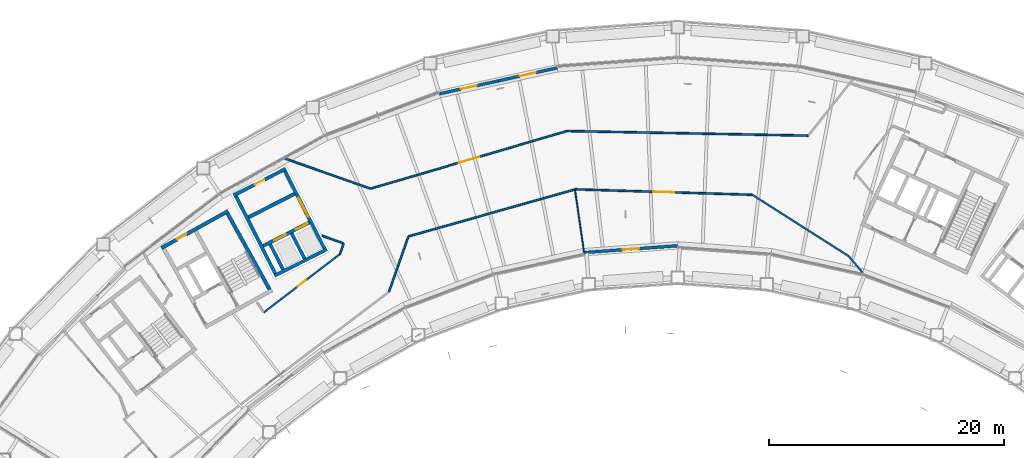
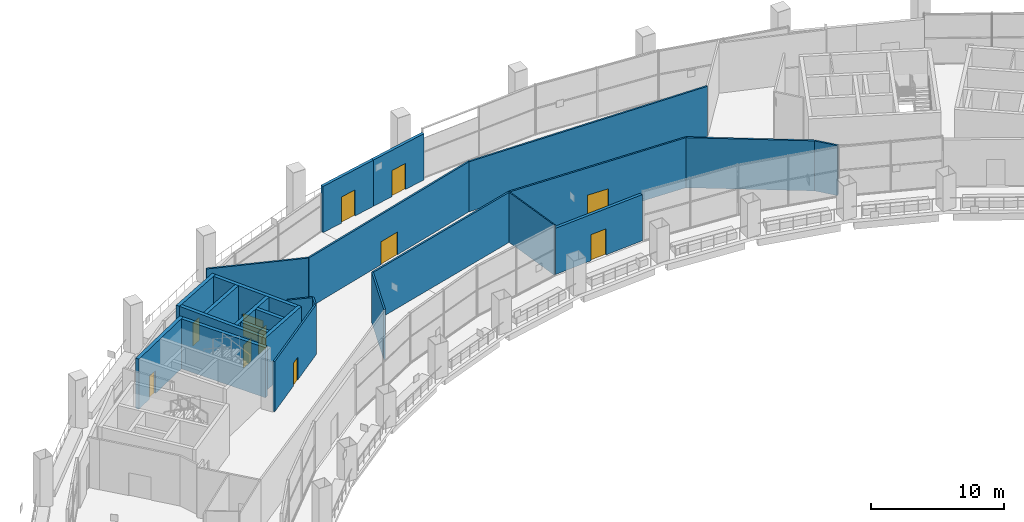
# One storey, part 17 of 28: 25 walls, 11 doors, 11 openings.
"""IFC4 building model written with IfcOpenShell, lengths in metres."""

from ifc_helpers import new_model, si_unit, direction, frame, frame_2d, origin, place, context, subcontext, project, spatial, rectangle, extrude, material, layer, layer_set, type_object, element, fill, save


model = new_model("IFC4")

# Units and contexts
model_context = context("Model", 3, precision=1e-05, world=origin(), true_north=direction((0.0, 1.0)))
body_context = subcontext(model_context, "Body", "Model", "MODEL_VIEW")
ifc_project = project(units=[si_unit("LENGTHUNIT", "METRE"), si_unit("AREAUNIT", "SQUARE_METRE"), si_unit("VOLUMEUNIT", "CUBIC_METRE"), si_unit("PLANEANGLEUNIT", "RADIAN"), si_unit("MASSUNIT", "GRAM", prefix="KILO")], contexts=[model_context])

# Site, building, storey
site_placement = place(None, origin())
site = spatial("IfcSite", under=ifc_project, at=site_placement, CompositionType="ELEMENT")
building_placement = place(site_placement, origin())
building = spatial("IfcBuilding", under=site, at=building_placement, Name="Tuul Gate Civic Tower", CompositionType="ELEMENT")
storey_placement = place(building_placement, frame((0.0, 0.0, 128.699951171875)))
storey = spatial("IfcBuildingStorey", under=building, at=storey_placement, Name="Sky garden level 1", CompositionType="ELEMENT", Elevation=128.699951171875)

# Wall, opening, door
ifc_material_1 = material(Name="Concrete C50/60", Category="concrete")
ifc_layer_1 = layer(ifc_material_1, 0.300048828125)
ifc_layer_set_1 = layer_set([ifc_layer_1], Name="Concrete C50/60")
wall_type_1 = type_object("IfcWallType", Name="Core wall C50/60", PredefinedType="SHEAR", material=ifc_layer_set_1)
wall_1_placement = place(storey_placement, frame((-28.4443359375, -1.98095703125, 0.0), z_axis=(0.0, 0.0, 1.0), x_axis=(-0.874629909008, -0.484791215132, 0.0)))
wall_1 = element("IfcWall", 1, at=wall_1_placement, inside=storey, type_object=wall_type_1, Name="Core wall", PredefinedType="SHEAR", context=body_context, shape_type="SweptSolid", body=[
    extrude(rectangle(XDim=6.5, YDim=0.300048828125, at=frame_2d((3.25, 0.0))), origin(), (0.0, 0.0, 1.0), 4.60009765625),
])
opening_1_placement = place(wall_1_placement, frame((4.074951171875, 0.0, 0.0)))
opening_1 = element("IfcOpeningElement", 2, at=opening_1_placement, cuts=wall_1, Name="Opening J-D15", PredefinedType="OPENING", context=body_context, shape_type="SweptSolid", body=[
    extrude(rectangle(XDim=0.89990234375, YDim=2.10009765625, at=frame_2d((0.449951171875, 1.050048828125))), frame((0.0, 0.16015625, 0.0), z_axis=(0.0, -1.0, 0.0), x_axis=(1.0, 0.0, 0.0)), (0.0, 0.0, 1.0), 0.320068359375),
])
ifc_material_2 = material(Name="Timber door leaf", Category="wood")
door_type_1 = type_object("IfcDoorType", Name="Door D09", OperationType="NOTDEFINED", PredefinedType="DOOR", material=ifc_material_2)
door_1_placement = place(opening_1_placement, origin())
door_1 = element("IfcDoor", 3, at=door_1_placement, inside=storey, type_object=door_type_1, Name="Door J-D15", OperationType="SINGLE_SWING_LEFT", OverallHeight=2.10009765625, OverallWidth=0.89990234375, PredefinedType="DOOR", context=body_context, shape_type="SweptSolid", body=[
    extrude(rectangle(XDim=0.89990234375, YDim=2.10009765625, at=frame_2d((0.449951171875, 1.050048828125))), frame((0.0, 0.02490234375, 0.0), z_axis=(0.0, -1.0, 0.0), x_axis=(1.0, 0.0, 0.0)), (0.0, 0.0, 1.0), 0.050048828125),
])
fill(opening_1, door_1)

# Walls
wall_2_placement = place(storey_placement, frame((-24.91552734375, -8.6572265625, 0.0), z_axis=(0.0, 0.0, 1.0), x_axis=(-0.484777133038, 0.874637714304, 0.0)))
element("IfcWall", 4, at=wall_2_placement, inside=storey, type_object=wall_type_1, Name="Core wall", PredefinedType="SHEAR", context=body_context, shape_type="SweptSolid", body=[
    extrude(rectangle(XDim=7.400146484375, YDim=0.300048828125, at=frame_2d((3.7001953125, 0.0))), origin(), (0.0, 0.0, 1.0), 4.60009765625),
])
ifc_material_3 = material(Name="Gypsum board partition")
ifc_layer_2 = layer(ifc_material_3, 0.14990234375)
ifc_layer_set_2 = layer_set([ifc_layer_2], Name="Gypsum board partition")
wall_type_2 = type_object("IfcWallType", Name="Corridor wall P150", PredefinedType="PARTITIONING", material=ifc_layer_set_2)
wall_3_placement = place(storey_placement, frame((-20.471435546875, -4.072265625, 0.0), z_axis=(0.0, 0.0, 1.0), x_axis=(0.941473773196, -0.33708624176, 0.0)))
element("IfcWall", 5, at=wall_3_placement, inside=storey, type_object=wall_type_2, Name="p005", PredefinedType="PARTITIONING", context=body_context, shape_type="SweptSolid", body=[
    extrude(rectangle(XDim=1.959228515625, YDim=0.14990234375, at=frame_2d((0.9794921875, 0.0))), origin(), (0.0, 0.0, 1.0), 4.60009765625),
])
wall_4_placement = place(storey_placement, frame((-18.92529296875, -5.64013671875, 0.0), z_axis=(0.0, 0.0, 1.0), x_axis=(0.332082590189, 0.943250313169, 0.0)))
element("IfcWall", 6, at=wall_4_placement, inside=storey, type_object=wall_type_2, Name="p006", PredefinedType="PARTITIONING", context=body_context, shape_type="SweptSolid", body=[
    extrude(rectangle(XDim=0.93505859375, YDim=0.14990234375, at=frame_2d((0.467529296875, 0.0))), origin(), (0.0, 0.0, 1.0), 4.60009765625),
])

# Wall, opening, door
wall_5_placement = place(storey_placement, frame((-25.40185546875, -10.605224609375, 0.0), z_axis=(0.0, 0.0, 1.0), x_axis=(0.793872915365, 0.608083706615, 0.0)))
wall_5 = element("IfcWall", 7, at=wall_5_placement, inside=storey, type_object=wall_type_2, Name="p008", PredefinedType="PARTITIONING", context=body_context, shape_type="SweptSolid", body=[
    extrude(rectangle(XDim=8.14990234375, YDim=0.14990234375, at=frame_2d((4.074951171875, 0.0))), origin(), (0.0, 0.0, 1.0), 4.60009765625),
])
opening_2_placement = place(wall_5_placement, frame((3.625, 0.0, 0.0)))
opening_2 = element("IfcOpeningElement", 8, at=opening_2_placement, cuts=wall_5, Name="Opening J-D02", PredefinedType="OPENING", context=body_context, shape_type="SweptSolid", body=[
    extrude(rectangle(XDim=0.89990234375, YDim=2.10009765625, at=frame_2d((0.449951171875, 1.050048828125))), frame((0.0, 0.0849609375, 0.0), z_axis=(0.0, -1.0, 0.0), x_axis=(1.0, 0.0, 0.0)), (0.0, 0.0, 1.0), 0.169921875),
])
door_2_placement = place(opening_2_placement, origin())
door_2 = element("IfcDoor", 9, at=door_2_placement, inside=storey, type_object=door_type_1, Name="Door J-D02", OperationType="SINGLE_SWING_RIGHT", OverallHeight=2.10009765625, OverallWidth=0.89990234375, PredefinedType="DOOR", context=body_context, shape_type="SweptSolid", body=[
    extrude(rectangle(XDim=0.89990234375, YDim=2.10009765625, at=frame_2d((0.449951171875, 1.050048828125))), frame((0.0, 0.02490234375, 0.0), z_axis=(0.0, -1.0, 0.0), x_axis=(1.0, 0.0, 0.0)), (0.0, 0.0, 1.0), 0.050048828125),
])
fill(opening_2, door_2)

# Wall
wall_6_placement = place(storey_placement, frame((0.406005859375, 4.833251953125, 0.0), z_axis=(0.0, 0.0, 1.0), x_axis=(0.999816867312, -0.01913718473, 0.0)))
element("IfcWall", 10, at=wall_6_placement, inside=storey, type_object=wall_type_2, Name="p019", PredefinedType="PARTITIONING", context=body_context, shape_type="SweptSolid", body=[
    extrude(rectangle(XDim=20.539306640625, YDim=0.14990234375, at=frame_2d((10.26953125, 0.0))), origin(), (0.0, 0.0, 1.0), 4.60009765625),
])

# Wall, opening, door
wall_7_placement = place(storey_placement, frame((-16.31103515625, -0.07275390625, 0.0), z_axis=(0.0, 0.0, 1.0), x_axis=(0.959530919326, 0.281603293406, 0.0)))
wall_7 = element("IfcWall", 11, at=wall_7_placement, inside=storey, type_object=wall_type_2, Name="p020", PredefinedType="PARTITIONING", context=body_context, shape_type="SweptSolid", body=[
    extrude(rectangle(XDim=17.4208984375, YDim=0.14990234375, at=frame_2d((8.71044921875, 0.0))), origin(), (0.0, 0.0, 1.0), 4.60009765625),
])
opening_3_placement = place(wall_7_placement, frame((7.810546875, 0.0, 0.0)))
opening_3 = element("IfcOpeningElement", 12, at=opening_3_placement, cuts=wall_7, Name="Opening J-D05", PredefinedType="OPENING", context=body_context, shape_type="SweptSolid", body=[
    extrude(rectangle(XDim=1.800048828125, YDim=2.10009765625, at=frame_2d((0.89990234375, 1.050048828125))), frame((0.0, 0.0849609375, 0.0), z_axis=(0.0, -1.0, 0.0), x_axis=(1.0, 0.0, 0.0)), (0.0, 0.0, 1.0), 0.169921875),
])
ifc_material_4 = material(Name="Timber door leaf, double", Category="wood")
door_type_2 = type_object("IfcDoorType", Name="Door D18", OperationType="DOUBLE_DOOR_SINGLE_SWING", PredefinedType="DOOR", material=ifc_material_4)
door_3_placement = place(opening_3_placement, origin())
door_3 = element("IfcDoor", 13, at=door_3_placement, inside=storey, type_object=door_type_2, Name="Door J-D05", OperationType="DOUBLE_DOOR_SINGLE_SWING", OverallHeight=2.10009765625, OverallWidth=1.800048828125, PredefinedType="DOOR", context=body_context, shape_type="SweptSolid", body=[
    extrude(rectangle(XDim=1.800048828125, YDim=2.10009765625, at=frame_2d((0.89990234375, 1.050048828125))), frame((0.0, 0.02490234375, 0.0), z_axis=(0.0, -1.0, 0.0), x_axis=(1.0, 0.0, 0.0)), (0.0, 0.0, 1.0), 0.050048828125),
])
fill(opening_3, door_3)

# Walls
wall_8_placement = place(storey_placement, frame((-23.70751953125, 2.526611328125, 0.0), z_axis=(0.0, 0.0, 1.0), x_axis=(0.943270974421, -0.332023897956, 0.0)))
element("IfcWall", 14, at=wall_8_placement, inside=storey, type_object=wall_type_2, Name="p021", PredefinedType="PARTITIONING", context=body_context, shape_type="SweptSolid", body=[
    extrude(rectangle(XDim=7.828125, YDim=0.14990234375, at=frame_2d((3.9140625, 0.0))), origin(), (0.0, 0.0, 1.0), 4.60009765625),
])
wall_9_placement = place(storey_placement, frame((-13.0869140625, -4.13818359375, 0.0), z_axis=(0.0, 0.0, 1.0), x_axis=(0.962436046504, 0.271508483089, 0.0)))
element("IfcWall", 15, at=wall_9_placement, inside=storey, type_object=wall_type_2, Name="p033", PredefinedType="PARTITIONING", context=body_context, shape_type="SweptSolid", body=[
    extrude(rectangle(XDim=14.76123046875, YDim=0.14990234375, at=frame_2d((7.380615234375, 0.0))), origin(), (0.0, 0.0, 1.0), 4.60009765625),
])

# Wall, opening, door
wall_10_placement = place(storey_placement, frame((1.125732421875, -0.129638671875, 0.0), z_axis=(0.0, 0.0, 1.0), x_axis=(0.999519306338, -0.031002520195, 0.0)))
wall_10 = element("IfcWall", 16, at=wall_10_placement, inside=storey, type_object=wall_type_2, Name="p034", PredefinedType="PARTITIONING", context=body_context, shape_type="SweptSolid", body=[
    extrude(rectangle(XDim=15.064697265625, YDim=0.14990234375, at=frame_2d((7.5322265625, 0.0))), origin(), (0.0, 0.0, 1.0), 4.60009765625),
])
opening_4_placement = place(wall_10_placement, frame((6.632080078125, 0.0, 0.0)))
opening_4 = element("IfcOpeningElement", 17, at=opening_4_placement, cuts=wall_10, Name="Opening J-D09", PredefinedType="OPENING", context=body_context, shape_type="SweptSolid", body=[
    extrude(rectangle(XDim=1.800048828125, YDim=2.10009765625, at=frame_2d((0.89990234375, 1.050048828125))), frame((0.0, 0.0849609375, 0.0), z_axis=(0.0, -1.0, 0.0), x_axis=(1.0, 0.0, 0.0)), (0.0, 0.0, 1.0), 0.169921875),
])
door_4_placement = place(opening_4_placement, frame((1.800048828125, 0.0, 0.0), z_axis=(0.0, 0.0, 1.0), x_axis=(-1.0, 0.0, 0.0)))
door_4 = element("IfcDoor", 18, at=door_4_placement, inside=storey, type_object=door_type_2, Name="Door J-D09", OperationType="DOUBLE_DOOR_SINGLE_SWING", OverallHeight=2.10009765625, OverallWidth=1.800048828125, PredefinedType="DOOR", context=body_context, shape_type="SweptSolid", body=[
    extrude(rectangle(XDim=1.800048828125, YDim=2.10009765625, at=frame_2d((0.900146484375, 1.050048828125))), frame((0.0, 0.02490234375, 0.0), z_axis=(0.0, -1.0, 0.0), x_axis=(1.0, 0.0, 0.0)), (0.0, 0.0, 1.0), 0.050048828125),
])
fill(opening_4, door_4)

# Walls
wall_11_placement = place(storey_placement, frame((16.193115234375, -0.60009765625, 0.0), z_axis=(0.0, 0.0, 1.0), x_axis=(0.843556923983, -0.537039771339, 0.0)))
element("IfcWall", 19, at=wall_11_placement, inside=storey, type_object=wall_type_2, Name="p035", PredefinedType="PARTITIONING", context=body_context, shape_type="SweptSolid", body=[
    extrude(rectangle(XDim=9.711669921875, YDim=0.14990234375, at=frame_2d((4.85595703125, 0.0))), origin(), (0.0, 0.0, 1.0), 4.60009765625),
])
wall_12_placement = place(storey_placement, frame((24.389892578125, -5.819580078125, 0.0), z_axis=(0.0, 0.0, 1.0), x_axis=(0.646354470024, -0.763037285511, 0.0)))
element("IfcWall", 20, at=wall_12_placement, inside=storey, type_object=wall_type_2, Name="p036", PredefinedType="PARTITIONING", context=body_context, shape_type="SweptSolid", body=[
    extrude(rectangle(XDim=1.85791015625, YDim=0.14990234375, at=frame_2d((0.928955078125, 0.0))), origin(), (0.0, 0.0, 1.0), 4.60009765625),
])
wall_13_placement = place(storey_placement, frame((-14.7578125, -8.85986328125, 0.0), z_axis=(0.0, 0.0, 1.0), x_axis=(0.331970681934, 0.943289704352, 0.0)))
element("IfcWall", 21, at=wall_13_placement, inside=storey, type_object=wall_type_2, Name="p038", PredefinedType="PARTITIONING", context=body_context, shape_type="SweptSolid", body=[
    extrude(rectangle(XDim=4.9921875, YDim=0.14990234375, at=frame_2d((2.49609375, 0.0))), origin(), (0.0, 0.0, 1.0), 4.60009765625),
])

# Wall, opening, door
ifc_material_5 = material(Name="Precast concrete C40/50", Category="concrete")
ifc_layer_3 = layer(ifc_material_5, 0.25)
ifc_layer_set_3 = layer_set([ifc_layer_3], Name="Precast concrete C40/50")
wall_type_3 = type_object("IfcWallType", Name="External wall", PredefinedType="STANDARD", material=ifc_layer_set_3)
wall_14_placement = place(storey_placement, frame((-0.418212890625, 10.212890625, 0.0), z_axis=(0.0, 0.0, 1.0), x_axis=(-0.976564816859, -0.215223508181, 0.0)))
wall_14 = element("IfcWall", 22, at=wall_14_placement, inside=storey, type_object=wall_type_3, Name="External wall", PredefinedType="STANDARD", context=body_context, shape_type="SweptSolid", body=[
    extrude(rectangle(XDim=5.14990234375, YDim=0.25, at=frame_2d((2.574951171875, 0.0))), origin(), (0.0, 0.0, 1.0), 4.25),
])
opening_5_placement = place(wall_14_placement, frame((1.875, 0.0, 0.0)))
opening_5 = element("IfcOpeningElement", 23, at=opening_5_placement, cuts=wall_14, Name="Opening TD", PredefinedType="OPENING", context=body_context, shape_type="SweptSolid", body=[
    extrude(rectangle(XDim=1.39990234375, YDim=2.39990234375, at=frame_2d((0.699951171875, 1.199951171875))), frame((0.0, 0.135009765625, 0.0), z_axis=(0.0, -1.0, 0.0), x_axis=(1.0, 0.0, 0.0)), (0.0, 0.0, 1.0), 0.27001953125),
])
ifc_material_6 = material(Name="Glazed aluminium", Category="aluminium")
door_type_3 = type_object("IfcDoorType", Name="Terrace door", OperationType="DOUBLE_DOOR_SINGLE_SWING", PredefinedType="DOOR", material=ifc_material_6)
door_5_placement = place(opening_5_placement, frame((1.39990234375, 0.0, 0.0), z_axis=(0.0, 0.0, 1.0), x_axis=(-1.0, 0.0, 0.0)))
door_5 = element("IfcDoor", 24, at=door_5_placement, inside=storey, type_object=door_type_3, Name="Terrace door", OperationType="DOUBLE_DOOR_SINGLE_SWING", OverallHeight=2.39990234375, OverallWidth=1.39990234375, PredefinedType="DOOR", context=body_context, shape_type="SweptSolid", body=[
    extrude(rectangle(XDim=1.39990234375, YDim=2.39990234375, at=frame_2d((0.699951171875, 1.199951171875))), frame((0.0, 0.02490234375, 0.0), z_axis=(0.0, -1.0, 0.0), x_axis=(1.0, 0.0, 0.0)), (0.0, 0.0, 1.0), 0.050048828125),
])
fill(opening_5, door_5)

wall_15_placement = place(storey_placement, frame((-5.447509765625, 9.1044921875, 0.0), z_axis=(0.0, 0.0, 1.0), x_axis=(-0.976557048773, -0.215258752414, 0.0)))
wall_15 = element("IfcWall", 25, at=wall_15_placement, inside=storey, type_object=wall_type_3, Name="External wall", PredefinedType="STANDARD", context=body_context, shape_type="SweptSolid", body=[
    extrude(rectangle(XDim=5.150390625, YDim=0.25, at=frame_2d((2.5751953125, 0.0))), origin(), (0.0, 0.0, 1.0), 4.25),
])
opening_6_placement = place(wall_15_placement, frame((1.875, 0.0, 0.0)))
opening_6 = element("IfcOpeningElement", 26, at=opening_6_placement, cuts=wall_15, Name="Opening TD", PredefinedType="OPENING", context=body_context, shape_type="SweptSolid", body=[
    extrude(rectangle(XDim=1.39990234375, YDim=2.39990234375, at=frame_2d((0.699951171875, 1.199951171875))), frame((0.0, 0.135009765625, 0.0), z_axis=(0.0, -1.0, 0.0), x_axis=(1.0, 0.0, 0.0)), (0.0, 0.0, 1.0), 0.27001953125),
])
door_6_placement = place(opening_6_placement, frame((1.39990234375, 0.0, 0.0), z_axis=(0.0, 0.0, 1.0), x_axis=(-1.0, 0.0, 0.0)))
door_6 = element("IfcDoor", 27, at=door_6_placement, inside=storey, type_object=door_type_3, Name="Terrace door", OperationType="DOUBLE_DOOR_SINGLE_SWING", OverallHeight=2.39990234375, OverallWidth=1.39990234375, PredefinedType="DOOR", context=body_context, shape_type="SweptSolid", body=[
    extrude(rectangle(XDim=1.39990234375, YDim=2.39990234375, at=frame_2d((0.699951171875, 1.199951171875))), frame((0.0, 0.02490234375, 0.0), z_axis=(0.0, -1.0, 0.0), x_axis=(1.0, 0.0, 0.0)), (0.0, 0.0, 1.0), 0.050048828125),
])
fill(opening_6, door_6)

wall_16_placement = place(storey_placement, frame((1.8720703125, -5.513427734375, 0.0), z_axis=(0.0, 0.0, 1.0), x_axis=(0.997391545111, 0.072181062211, 0.0)))
wall_16 = element("IfcWall", 28, at=wall_16_placement, inside=storey, type_object=wall_type_3, Name="External wall", PredefinedType="STANDARD", context=body_context, shape_type="SweptSolid", body=[
    extrude(rectangle(XDim=7.96875, YDim=0.25, at=frame_2d((3.984375, 0.0))), origin(), (0.0, 0.0, 1.0), 4.25),
])
opening_7_placement = place(wall_16_placement, frame((3.284423828125, 0.0, 0.0)))
opening_7 = element("IfcOpeningElement", 29, at=opening_7_placement, cuts=wall_16, Name="Opening TD", PredefinedType="OPENING", context=body_context, shape_type="SweptSolid", body=[
    extrude(rectangle(XDim=1.39990234375, YDim=2.39990234375, at=frame_2d((0.699951171875, 1.199951171875))), frame((0.0, 0.135009765625, 0.0), z_axis=(0.0, -1.0, 0.0), x_axis=(1.0, 0.0, 0.0)), (0.0, 0.0, 1.0), 0.27001953125),
])
door_7_placement = place(opening_7_placement, frame((1.39990234375, 0.0, 0.0), z_axis=(0.0, 0.0, 1.0), x_axis=(-1.0, 0.0, 0.0)))
door_7 = element("IfcDoor", 30, at=door_7_placement, inside=storey, type_object=door_type_3, Name="Terrace door", OperationType="DOUBLE_DOOR_SINGLE_SWING", OverallHeight=2.39990234375, OverallWidth=1.39990234375, PredefinedType="DOOR", context=body_context, shape_type="SweptSolid", body=[
    extrude(rectangle(XDim=1.39990234375, YDim=2.39990234375, at=frame_2d((0.699951171875, 1.199951171875))), frame((0.0, 0.02490234375, 0.0), z_axis=(0.0, -1.0, 0.0), x_axis=(1.0, 0.0, 0.0)), (0.0, 0.0, 1.0), 0.050048828125),
])
fill(opening_7, door_7)

# Wall
ifc_material_7 = material(Name="Concrete C40/50", Category="concrete")
ifc_layer_4 = layer(ifc_material_7, 0.300048828125)
ifc_layer_set_4 = layer_set([ifc_layer_4], Name="Concrete C40/50")
wall_type_4 = type_object("IfcWallType", Name="Lift shaft wall C40/50", PredefinedType="STANDARD", material=ifc_layer_set_4)
wall_17_placement = place(storey_placement, frame((-20.049072265625, -5.232421875, -0.300048828125), z_axis=(0.0, 0.0, 1.0), x_axis=(-0.891002976909, -0.453997461601, 0.0)))
element("IfcWall", 31, at=wall_17_placement, inside=storey, type_object=wall_type_4, Name="Shaft wall", PredefinedType="STANDARD", context=body_context, shape_type="SweptSolid", body=[
    extrude(rectangle(XDim=5.0, YDim=0.300048828125, at=frame_2d((2.5, 0.0))), origin(), (0.0, 0.0, 1.0), 4.900146484375),
])

# Wall, openings, doors
wall_18_placement = place(storey_placement, frame((-21.542236328125, -2.962890625, -0.300048828125), z_axis=(0.0, 0.0, 1.0), x_axis=(-0.891005618941, -0.453992276384, 0.0)))
wall_18 = element("IfcWall", 32, at=wall_18_placement, inside=storey, type_object=wall_type_4, Name="Shaft wall", PredefinedType="STANDARD", context=body_context, shape_type="SweptSolid", body=[
    extrude(rectangle(XDim=4.39990234375, YDim=0.300048828125, at=frame_2d((2.199951171875, 0.0))), origin(), (0.0, 0.0, 1.0), 4.900146484375),
])
opening_8_placement = place(wall_18_placement, frame((0.175048828125, 0.0, 0.300048828125)))
opening_8 = element("IfcOpeningElement", 33, at=opening_8_placement, cuts=wall_18, Name="Opening LD-M1", PredefinedType="OPENING", context=body_context, shape_type="SweptSolid", body=[
    extrude(rectangle(XDim=1.10009765625, YDim=2.10009765625, at=frame_2d((0.550048828125, 1.050048828125))), frame((0.0, 0.16015625, 0.0), z_axis=(0.0, -1.0, 0.0), x_axis=(1.0, 0.0, 0.0)), (0.0, 0.0, 1.0), 0.320068359375),
])
opening_9_placement = place(wall_18_placement, frame((2.22509765625, 0.0, 0.300048828125)))
opening_9 = element("IfcOpeningElement", 34, at=opening_9_placement, cuts=wall_18, Name="Opening LD-M2", PredefinedType="OPENING", context=body_context, shape_type="SweptSolid", body=[
    extrude(rectangle(XDim=1.10009765625, YDim=2.10009765625, at=frame_2d((0.550048828125, 1.050048828125))), frame((0.0, 0.16015625, 0.0), z_axis=(0.0, -1.0, 0.0), x_axis=(1.0, 0.0, 0.0)), (0.0, 0.0, 1.0), 0.320068359375),
])
ifc_material_8 = material(Name="Stainless steel", Category="steel")
door_type_4 = type_object("IfcDoorType", Name="Landing door", OperationType="DOUBLE_DOOR_SLIDING", PredefinedType="DOOR", material=ifc_material_8)
door_8_placement = place(opening_8_placement, origin())
door_8 = element("IfcDoor", 35, at=door_8_placement, inside=storey, type_object=door_type_4, Name="Mid-rise lift M1 landing door", OperationType="DOUBLE_DOOR_SLIDING", OverallHeight=2.10009765625, OverallWidth=1.10009765625, PredefinedType="DOOR", context=body_context, shape_type="SweptSolid", body=[
    extrude(rectangle(XDim=1.10009765625, YDim=2.10009765625, at=frame_2d((0.550048828125, 1.050048828125))), frame((0.0, 0.02490234375, 0.0), z_axis=(0.0, -1.0, 0.0), x_axis=(1.0, 0.0, 0.0)), (0.0, 0.0, 1.0), 0.050048828125),
])
fill(opening_8, door_8)
door_9_placement = place(opening_9_placement, origin())
door_9 = element("IfcDoor", 36, at=door_9_placement, inside=storey, type_object=door_type_4, Name="Mid-rise lift M2 landing door", OperationType="DOUBLE_DOOR_SLIDING", OverallHeight=2.10009765625, OverallWidth=1.10009765625, PredefinedType="DOOR", context=body_context, shape_type="SweptSolid", body=[
    extrude(rectangle(XDim=1.10009765625, YDim=2.10009765625, at=frame_2d((0.550048828125, 1.050048828125))), frame((0.0, 0.02490234375, 0.0), z_axis=(0.0, -1.0, 0.0), x_axis=(1.0, 0.0, 0.0)), (0.0, 0.0, 1.0), 0.050048828125),
])
fill(opening_9, door_9)

# Wall
wall_19_placement = place(storey_placement, frame((-22.790771484375, -0.5126953125, -0.300048828125), z_axis=(0.0, 0.0, 1.0), x_axis=(-0.891005618941, -0.453992276384, 0.0)))
element("IfcWall", 37, at=wall_19_placement, inside=storey, type_object=wall_type_4, Name="Shaft wall", PredefinedType="STANDARD", context=body_context, shape_type="SweptSolid", body=[
    extrude(rectangle(XDim=4.39990234375, YDim=0.300048828125, at=frame_2d((2.199951171875, 0.0))), origin(), (0.0, 0.0, 1.0), 4.900146484375),
])

# Wall, opening, door
wall_20_placement = place(storey_placement, frame((-23.544921875, 1.62841796875, -0.300048828125), z_axis=(0.0, 0.0, 1.0), x_axis=(-0.891002976909, -0.453997461601, 0.0)))
wall_20 = element("IfcWall", 38, at=wall_20_placement, inside=storey, type_object=wall_type_4, Name="Shaft wall", PredefinedType="STANDARD", context=body_context, shape_type="SweptSolid", body=[
    extrude(rectangle(XDim=5.0, YDim=0.300048828125, at=frame_2d((2.5, 0.0))), origin(), (0.0, 0.0, 1.0), 4.900146484375),
])
opening_10_placement = place(wall_20_placement, frame((2.050048828125, 0.0, 0.0)))
opening_10 = element("IfcOpeningElement", 39, at=opening_10_placement, cuts=wall_20, Name="Opening J-D22", PredefinedType="OPENING", context=body_context, shape_type="SweptSolid", body=[
    extrude(rectangle(XDim=0.89990234375, YDim=2.10009765625, at=frame_2d((0.449951171875, 1.050048828125))), frame((0.0, 0.16015625, 0.0), z_axis=(0.0, -1.0, 0.0), x_axis=(1.0, 0.0, 0.0)), (0.0, 0.0, 1.0), 0.320068359375),
])
door_10_placement = place(opening_10_placement, origin())
door_10 = element("IfcDoor", 40, at=door_10_placement, inside=storey, type_object=door_type_1, Name="Door J-D22", OperationType="SINGLE_SWING_LEFT", OverallHeight=2.10009765625, OverallWidth=0.89990234375, PredefinedType="DOOR", context=body_context, shape_type="SweptSolid", body=[
    extrude(rectangle(XDim=0.89990234375, YDim=2.10009765625, at=frame_2d((0.449951171875, 1.050048828125))), frame((0.0, 0.02490234375, 0.0), z_axis=(0.0, -1.0, 0.0), x_axis=(1.0, 0.0, 0.0)), (0.0, 0.0, 1.0), 0.050048828125),
])
fill(opening_10, door_10)

wall_21_placement = place(storey_placement, frame((-20.2509765625, -5.166748046875, -0.300048828125), z_axis=(0.0, 0.0, 1.0), x_axis=(-0.45401029361, 0.89099643843, 0.0)))
wall_21 = element("IfcWall", 41, at=wall_21_placement, inside=storey, type_object=wall_type_4, Name="Shaft wall", PredefinedType="STANDARD", context=body_context, shape_type="SweptSolid", body=[
    extrude(rectangle(XDim=7.39990234375, YDim=0.300048828125, at=frame_2d((3.699951171875, 0.0))), origin(), (0.0, 0.0, 1.0), 4.900146484375),
])
opening_11_placement = place(wall_21_placement, frame((3.02490234375, 0.0, 0.300048828125)))
opening_11 = element("IfcOpeningElement", 42, at=opening_11_placement, cuts=wall_21, Name="Opening LB-W3-LOBBY-1", PredefinedType="OPENING", context=body_context, shape_type="SweptSolid", body=[
    extrude(rectangle(XDim=1.800048828125, YDim=2.10009765625, at=frame_2d((0.89990234375, 1.050048828125))), frame((0.0, 0.16015625, 0.0), z_axis=(0.0, -1.0, 0.0), x_axis=(1.0, 0.0, 0.0)), (0.0, 0.0, 1.0), 0.320068359375),
])
ifc_material_9 = material(Name="Steel", Category="steel")
door_type_5 = type_object("IfcDoorType", Name="Lobby door", OperationType="DOUBLE_DOOR_SINGLE_SWING", PredefinedType="DOOR", material=ifc_material_9)
door_11_placement = place(opening_11_placement, origin())
door_11 = element("IfcDoor", 43, at=door_11_placement, inside=storey, type_object=door_type_5, Name="Lobby door W3-LOBBY", OperationType="DOUBLE_DOOR_SINGLE_SWING", OverallHeight=2.10009765625, OverallWidth=1.800048828125, PredefinedType="DOOR", context=body_context, shape_type="SweptSolid", body=[
    extrude(rectangle(XDim=1.800048828125, YDim=2.10009765625, at=frame_2d((0.89990234375, 1.050048828125))), frame((0.0, 0.02490234375, 0.0), z_axis=(0.0, -1.0, 0.0), x_axis=(1.0, 0.0, 0.0)), (0.0, 0.0, 1.0), 0.050048828125),
])
fill(opening_11, door_11)

# Walls
for number, where, z_axis, x_axis, name in (
    (44, (-21.94384765625, -6.029296875, -0.300048828125), (0.0, 0.0, 1.0), (-0.45403702923, 0.890982814698, 0.0), "Shaft wall"),
    (45, (-23.770263671875, -6.960205078125, -0.300048828125), (0.0, 0.0, 1.0), (-0.45399587725, 0.891003784189, 0.0), "Shaft wall"),
):
    element("IfcWall", number, at=place(storey_placement, frame(where, z_axis=z_axis, x_axis=x_axis)), inside=storey, type_object=wall_type_4, Name=name, PredefinedType="STANDARD", context=body_context, shape_type="SweptSolid", body=[
        extrude(rectangle(XDim=2.39990234375, YDim=0.300048828125, at=frame_2d((1.199951171875, 0.0))), origin(), (0.0, 0.0, 1.0), 4.900146484375),
    ])
wall_22_placement = place(storey_placement, frame((-24.438720703125, -7.300537109375, -0.300048828125), z_axis=(0.0, 0.0, 1.0), x_axis=(-0.453984101083, 0.891009784438, 0.0)))
element("IfcWall", 46, at=wall_22_placement, inside=storey, type_object=wall_type_4, Name="Shaft wall", PredefinedType="STANDARD", context=body_context, shape_type="SweptSolid", body=[
    extrude(rectangle(XDim=7.399658203125, YDim=0.300048828125, at=frame_2d((3.69970703125, 0.0))), origin(), (0.0, 0.0, 1.0), 4.900146484375),
])
ifc_material_10 = material(Name="Gypsum board partition")
ifc_layer_5 = layer(ifc_material_10, 0.10009765625)
ifc_layer_set_5 = layer_set([ifc_layer_5], Name="Gypsum board partition")
wall_type_5 = type_object("IfcWallType", Name="Partition P100", PredefinedType="PARTITIONING", material=ifc_layer_set_5)
wall_23_placement = place(storey_placement, frame((1.080810546875, -0.141357421875, 0.0), z_axis=(0.0, 0.0, 1.0), x_axis=(0.144100976888, -0.989562988627, 0.0)))
element("IfcWall", 47, at=wall_23_placement, inside=storey, type_object=wall_type_5, Name="p032", PredefinedType="PARTITIONING", context=body_context, shape_type="SweptSolid", body=[
    extrude(rectangle(XDim=5.611328125, YDim=0.10009765625, at=frame_2d((2.8056640625, 0.0))), origin(), (0.0, 0.0, 1.0), 4.60009765625),
])

save(model, "model.ifc")
